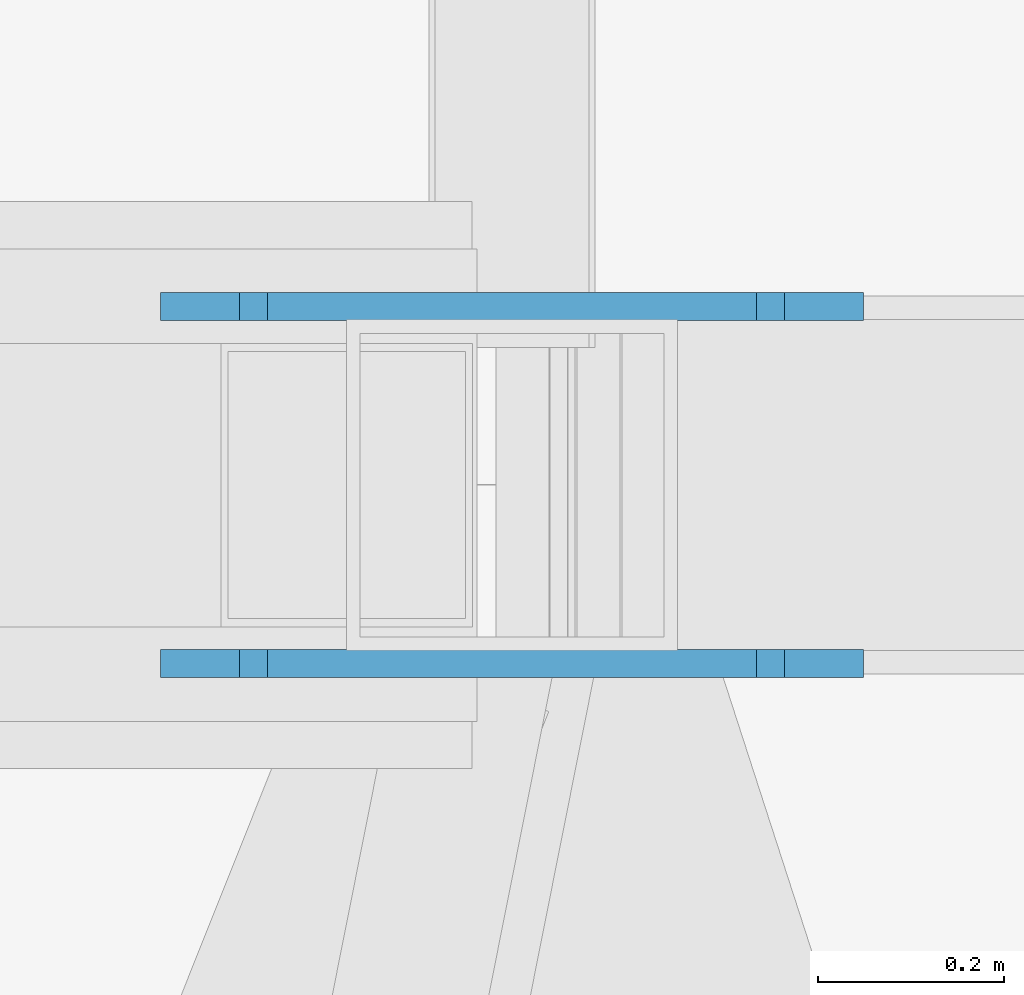
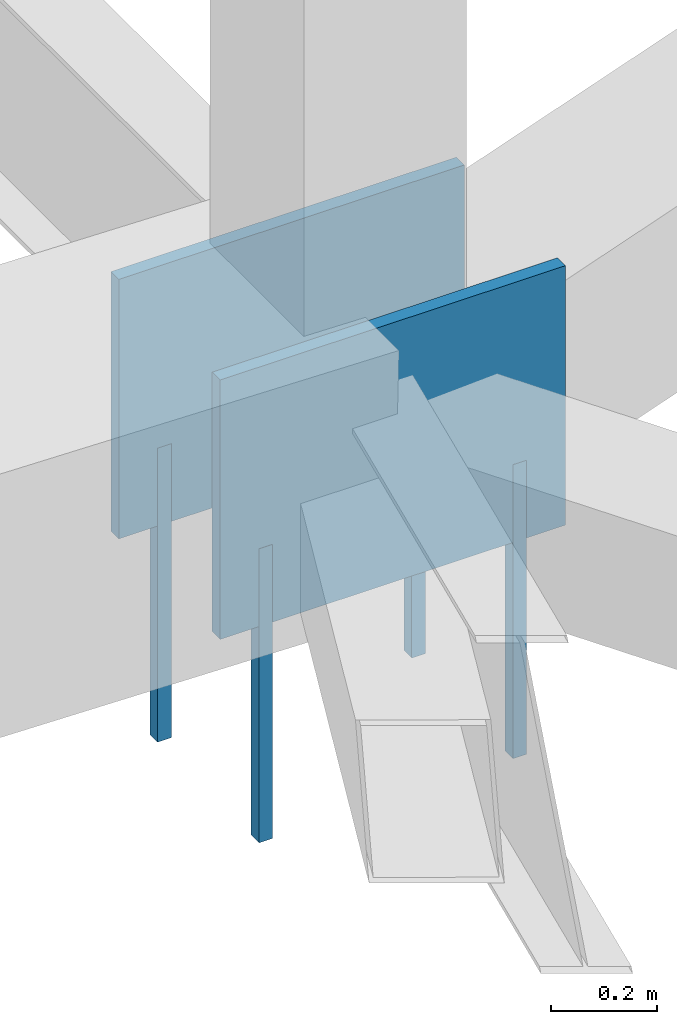
# One storey, part 183 of 278: 4 mechanical fasteners, 2 discrete accessories.
"""IFC4 building model written with IfcOpenShell, lengths in metres."""

from ifc_helpers import new_model, si_unit, direction, frame, origin, origin_2d, place, context, subcontext, project, spatial, rectangle, extrude, material, layer, layer_set, type_object, element, save


model = new_model("IFC4")

# Units and contexts
model_context = context("Model", 3, precision=1e-05, world=origin(), true_north=direction((0.0, 1.0)))
body_context = subcontext(model_context, "Body", "Model", "MODEL_VIEW")
ifc_project = project(units=[si_unit("LENGTHUNIT", "METRE"), si_unit("AREAUNIT", "SQUARE_METRE"), si_unit("VOLUMEUNIT", "CUBIC_METRE"), si_unit("PLANEANGLEUNIT", "RADIAN"), si_unit("MASSUNIT", "GRAM", prefix="KILO")], contexts=[model_context])

# Site, building, storey
site_placement = place(None, origin())
site = spatial("IfcSite", under=ifc_project, at=site_placement, CompositionType="ELEMENT")
building_placement = place(site_placement, origin())
building = spatial("IfcBuilding", under=site, at=building_placement, Name="Ogive Plaza Stadium", CompositionType="ELEMENT")
storey_placement = place(building_placement, frame((0.0, 0.0, 29.0)))
storey = spatial("IfcBuildingStorey", under=building, at=storey_placement, Name="Roof", CompositionType="ELEMENT", Elevation=29.0)

# Mechanical fasteners
ifc_material_1 = material(Name="Steel ASTM A992 Grade 50", Category="steel")
mechanical_fastener_type = type_object("IfcMechanicalFastenerType", Name="Anchor bolt M30 x 600", PredefinedType="ANCHORBOLT", material=ifc_material_1)
for number, where, z_axis, x_axis, name in (
    (1, (74.27783203125, -52.30810546875, -0.5), (0.0, 0.0, 1.0), (1.0, 0.0, 0.0), "ANCHOR BOLT 08 BP 1.1"),
    (2, (73.72216796875, -52.30810546875, -0.5), (0.0, 0.0, 1.0), (1.0, 0.0, 0.0), "ANCHOR BOLT 08 BP 1.2"),
    (3, (74.27783203125, -52.69189453125, -0.5), (0.0, 0.0, 1.0), (1.0, 0.0, 0.0), "ANCHOR BOLT 08 BP 2.1"),
    (4, (73.72216796875, -52.69189453125, -0.5), (0.0, 0.0, 1.0), (1.0, 0.0, 0.0), "ANCHOR BOLT 08 BP 2.2"),
):
    element("IfcMechanicalFastener", number, at=place(storey_placement, frame(where, z_axis=z_axis, x_axis=x_axis)), inside=storey, type_object=mechanical_fastener_type, Name=name, PredefinedType="ANCHORBOLT", context=body_context, shape_type="SweptSolid", body=[
        extrude(rectangle(XDim=0.030029296875, YDim=0.030029296875, at=origin_2d()), origin(), (0.0, 0.0, 1.0), 0.679931640625),
    ])

# Discrete accessories
ifc_material_2 = material(Name="Steel ASTM A992 Grade 50", Category="steel")
ifc_layer = layer(ifc_material_2, 0.030029296875)
ifc_layer_set = layer_set([ifc_layer], Name="Steel ASTM A992 Grade 50")
discrete_accessory_type = type_object("IfcDiscreteAccessoryType", Name="Truss root foot cleat plate 30", PredefinedType="ANCHORPLATE", material=ifc_layer_set)
for number, where, z_axis, x_axis, name in (
    (5, (74.0, -52.30810546875, 0.0), (0.0, 0.0, 1.0), (1.0, 0.0, 0.0), "TRUSS ROOT FOOT CLEAT PLATE 08 1"),
    (6, (74.0, -52.69189453125, 0.0), (0.0, 0.0, 1.0), (1.0, 0.0, 0.0), "TRUSS ROOT FOOT CLEAT PLATE 08 2"),
):
    element("IfcDiscreteAccessory", number, at=place(storey_placement, frame(where, z_axis=z_axis, x_axis=x_axis)), inside=storey, type_object=discrete_accessory_type, Name=name, PredefinedType="ANCHORPLATE", context=body_context, shape_type="SweptSolid", body=[
        extrude(rectangle(XDim=0.755615234375, YDim=0.030029296875, at=origin_2d()), origin(), (0.0, 0.0, 1.0), 0.60009765625),
    ])

save(model, "model.ifc")
